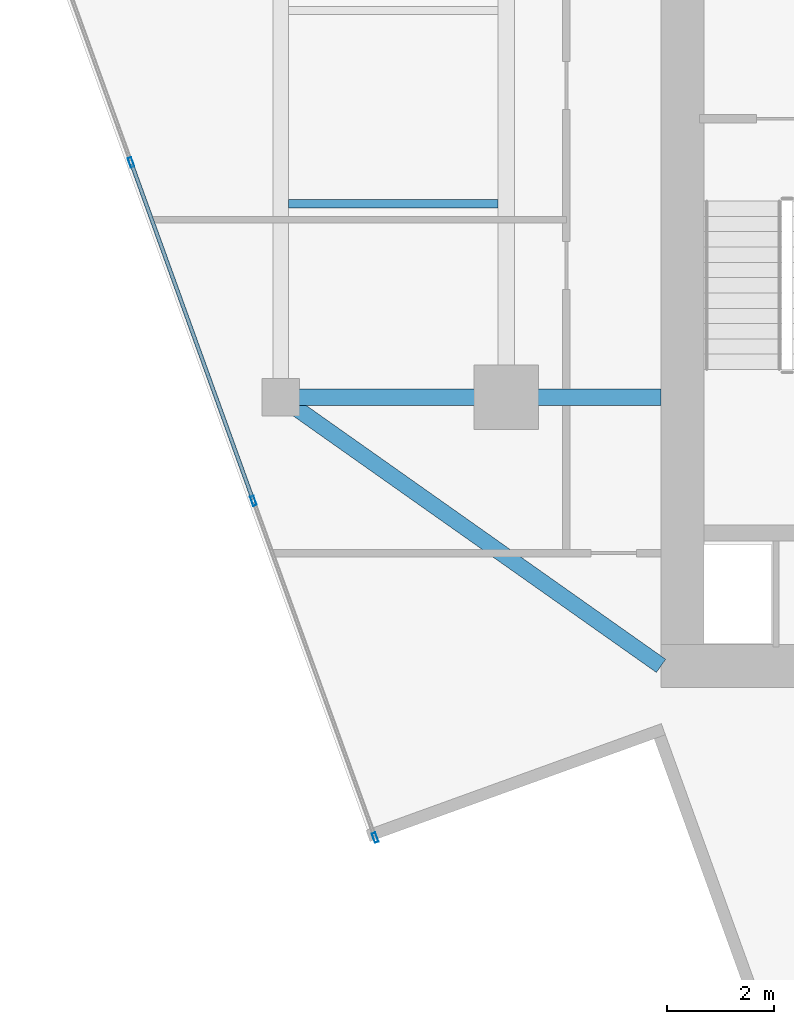
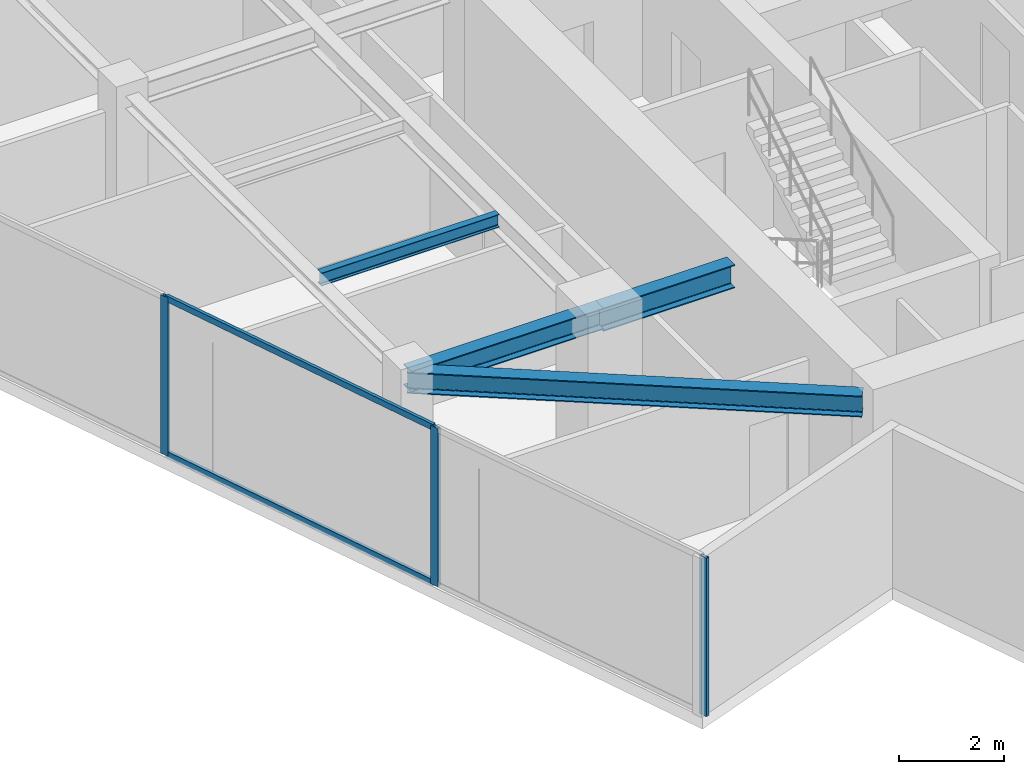
# One storey, part 2 of 21: 5 members, 4 beams, 1 element without a shape of its own.
"""IFC4 building model written with IfcOpenShell, lengths in metres."""

from ifc_helpers import new_model, si_unit, direction, frame, origin, origin_2d, place, context, subcontext, project, spatial, hollow_rectangle, i_section, extrude, source, transform, mapped, material, material_profile, profile_set, type_object, type_shapes, element, aggregate, save


model = new_model("IFC4")

# Units and contexts
model_context = context("Model", 3, precision=1e-05, world=origin(), true_north=direction((0.0, 1.0)))
body_context = subcontext(model_context, "Body", "Model", "MODEL_VIEW")
ifc_project = project(units=[si_unit("LENGTHUNIT", "METRE"), si_unit("AREAUNIT", "SQUARE_METRE"), si_unit("VOLUMEUNIT", "CUBIC_METRE"), si_unit("PLANEANGLEUNIT", "RADIAN"), si_unit("MASSUNIT", "GRAM", prefix="KILO")], contexts=[model_context])

# Site, building, storey
site_placement = place(None, origin())
site = spatial("IfcSite", under=ifc_project, at=site_placement, CompositionType="ELEMENT")
building_placement = place(site_placement, origin())
building = spatial("IfcBuilding", under=site, at=building_placement, Name="Krantzveldt Concourse Tower", CompositionType="ELEMENT")
storey_placement = place(building_placement, frame((0.0, 0.0, 335.60009765625)))
storey = spatial("IfcBuildingStorey", under=building, at=storey_placement, Name="L82", CompositionType="ELEMENT", Elevation=335.60009765625)

# Beams
ifc_material_1 = material(Name="Steel S355JR", Category="steel")
ifc_material_profile_1 = material_profile(ifc_material_1, i_section(OverallWidth=0.300048828125, OverallDepth=0.489990234375, WebThickness=0.011962890625, FlangeThickness=0.02294921875, FilletRadius=0.027099609375, at=origin_2d()), Name="Steel S355JR", Category="steel")
ifc_profile_set_1 = profile_set([ifc_material_profile_1], Name="Steel S355JR - HEA 500")
beam_type_1 = type_object("IfcBeamType", Name="BM-B-HEA500", PredefinedType="BEAM", material=ifc_profile_set_1)
shared_shape_1 = source(origin(), body_context, "Body", "SweptSolid", [
    extrude(i_section(OverallWidth=0.300048828125, OverallDepth=0.489990234375, WebThickness=0.011962890625, FlangeThickness=0.02294921875, FilletRadius=0.027099609375, at=origin_2d()), origin(), (0.0, 0.0, 1.0), 4.199951171875),
])
beam_1_placement = place(storey_placement, frame((21.0, 15.89990234375, 3.4248046875), z_axis=(1.0, 0.0, 0.0), x_axis=(0.0, 1.0, 0.0)))
element("IfcBeam", 1, at=beam_1_placement, inside=storey, type_object=beam_type_1, Name="L82 Tower Girder BR-RL1", PredefinedType="BEAM", context=body_context, shape_type="MappedRepresentation", body=[
    mapped(shared_shape_1, transform((0.0, 0.0, 0.0), x_axis=(1.0, 0.0, 0.0), y_axis=(0.0, 1.0, 0.0), z_axis=(0.0, 0.0, 1.0), scale=1.0)),
])
shared_shape_2 = source(origin(), body_context, "Body", "SweptSolid", [
    extrude(i_section(OverallWidth=0.300048828125, OverallDepth=0.489990234375, WebThickness=0.011962890625, FlangeThickness=0.02294921875, FilletRadius=0.027099609375, at=origin_2d()), origin(), (0.0, 0.0, 1.0), 8.667724609375),
])
type_shapes(beam_type_1, [shared_shape_1, shared_shape_2])
beam_2_placement = place(storey_placement, frame((21.0, 15.89990234375, 3.4248046875), z_axis=(0.81684294656, -0.576860122261, 0.0), x_axis=(0.576860122261, 0.81684294656, 0.0)))
element("IfcBeam", 2, at=beam_2_placement, inside=storey, type_object=beam_type_1, Name="L82 Tower Girder BR-CSW", PredefinedType="BEAM", context=body_context, shape_type="MappedRepresentation", body=[
    mapped(shared_shape_2, transform((0.0, 0.0, 0.0), x_axis=(1.0, 0.0, 0.0), y_axis=(0.0, 1.0, 0.0), z_axis=(0.0, 0.0, 1.0), scale=1.0)),
])
ifc_material_profile_2 = material_profile(ifc_material_1, i_section(OverallWidth=0.300048828125, OverallDepth=0.5400390625, WebThickness=0.012451171875, FlangeThickness=0.02392578125, FilletRadius=0.027099609375, at=origin_2d()), Name="Steel S355JR", Category="steel")
ifc_profile_set_2 = profile_set([ifc_material_profile_2], Name="Steel S355JR - HEA 550")
beam_type_2 = type_object("IfcBeamType", Name="BM-B-HEA550", PredefinedType="BEAM", material=ifc_profile_set_2)
shared_shape_3 = source(origin(), body_context, "Body", "SweptSolid", [
    extrude(i_section(OverallWidth=0.300048828125, OverallDepth=0.5400390625, WebThickness=0.012451171875, FlangeThickness=0.02392578125, FilletRadius=0.027099609375, at=origin_2d()), origin(), (0.0, 0.0, 1.0), 2.880126953125),
])
type_shapes(beam_type_2, [shared_shape_3])
beam_3_placement = place(storey_placement, frame((25.199951171875, 15.89990234375, 3.39990234375), z_axis=(1.0, 0.0, 0.0), x_axis=(0.0, 1.0, 0.0)))
element("IfcBeam", 3, at=beam_3_placement, inside=storey, type_object=beam_type_2, Name="L82 Tower Girder BG-CW1", PredefinedType="BEAM", context=body_context, shape_type="MappedRepresentation", body=[
    mapped(shared_shape_3, transform((0.0, 0.0, 0.0), x_axis=(1.0, 0.0, 0.0), y_axis=(0.0, 1.0, 0.0), z_axis=(0.0, 0.0, 1.0), scale=1.0)),
])
ifc_material_profile_3 = material_profile(ifc_material_1, i_section(OverallWidth=0.14990234375, OverallDepth=0.300048828125, WebThickness=0.007080078125, FlangeThickness=0.0107421875, FilletRadius=0.014892578125, at=origin_2d()), Name="Steel S355JR", Category="steel")
ifc_profile_set_3 = profile_set([ifc_material_profile_3], Name="Steel S355JR - IPE 300")
beam_type_3 = type_object("IfcBeamType", Name="BM-J-IPE300", PredefinedType="JOIST", material=ifc_profile_set_3)
shared_shape_4 = source(origin(), body_context, "Body", "SweptSolid", [
    extrude(i_section(OverallWidth=0.14990234375, OverallDepth=0.300048828125, WebThickness=0.007080078125, FlangeThickness=0.0107421875, FilletRadius=0.014892578125, at=origin_2d()), origin(), (0.0, 0.0, 1.0), 3.900146484375),
])
type_shapes(beam_type_3, [shared_shape_4])
beam_4_placement = place(storey_placement, frame((21.14990234375, 19.5, 3.52001953125), z_axis=(1.0, 0.0, 0.0), x_axis=(0.0, 1.0, 0.0)))
element("IfcBeam", 4, at=beam_4_placement, inside=storey, type_object=beam_type_3, Name="L82 Secondary Floor Joist JW-1", PredefinedType="JOIST", context=body_context, shape_type="MappedRepresentation", body=[
    mapped(shared_shape_4, transform((0.0, 0.0, 0.0), x_axis=(1.0, 0.0, 0.0), y_axis=(0.0, 1.0, 0.0), z_axis=(0.0, 0.0, 1.0), scale=1.0)),
])

# Curtain wall, members
ifc_material_2 = material(Name="Anodised aluminium 6063-T6", Category="aluminium")
curtain_wall_type = type_object("IfcCurtainWallType", Name="CW4", PredefinedType="USERDEFINED", material=ifc_material_2)
curtain_wall_placement = place(storey_placement, origin())
curtain_wall = element("IfcCurtainWall", 5, at=curtain_wall_placement, inside=storey, type_object=curtain_wall_type, Name="CW-L82-F04", ObjectType="UNITISED CURTAIN WALL", PredefinedType="USERDEFINED")
ifc_material_profile_4 = material_profile(ifc_material_2, hollow_rectangle(XDim=0.070068359375, YDim=0.179931640625, WallThickness=0.0048828125, at=origin_2d()), Name="Anodised aluminium 6063-T6", Category="aluminium")
ifc_profile_set_4 = profile_set([ifc_material_profile_4], Name="Anodised aluminium 6063-T6 - ALU-MULL 180x70x5")
member_type_1 = type_object("IfcMemberType", Name="CW-MUL-180", PredefinedType="MULLION", material=ifc_profile_set_4)
shared_shape_5 = source(origin(), body_context, "Body", "SweptSolid", [
    extrude(hollow_rectangle(XDim=0.070068359375, YDim=0.179931640625, WallThickness=0.0048828125, at=origin_2d()), origin(), (0.0, 0.0, 1.0), 3.669921875),
])
type_shapes(member_type_1, [shared_shape_5])
member_1_placement = place(storey_placement, frame((18.21630859375, 20.271240234375, 0.0), z_axis=(0.0, 0.0, 1.0), x_axis=(0.940436624478, 0.339969050563, 0.0)))
member_1 = element("IfcMember", 6, at=member_1_placement, type_object=member_type_1, Name="CW-Z56 mullion 3", PredefinedType="MULLION", context=body_context, shape_type="MappedRepresentation", body=[
    mapped(shared_shape_5, transform((0.0, 0.0, 0.0), x_axis=(1.0, 0.0, 0.0), y_axis=(0.0, 1.0, 0.0), z_axis=(0.0, 0.0, 1.0), scale=1.0)),
])
member_2_placement = place(storey_placement, frame((20.494140625, 13.97021484375, 0.0), z_axis=(0.0, 0.0, 1.0), x_axis=(0.940436624478, 0.339969050563, 0.0)))
member_2 = element("IfcMember", 7, at=member_2_placement, type_object=member_type_1, Name="CW-Z56 mullion 4", PredefinedType="MULLION", context=body_context, shape_type="MappedRepresentation", body=[
    mapped(shared_shape_5, transform((0.0, 0.0, 0.0), x_axis=(1.0, 0.0, 0.0), y_axis=(0.0, 1.0, 0.0), z_axis=(0.0, 0.0, 1.0), scale=1.0)),
])
member_3_placement = place(storey_placement, frame((22.760009765625, 7.7021484375, 0.0), z_axis=(0.0, 0.0, 1.0), x_axis=(0.940436624478, 0.339969050563, 0.0)))
member_3 = element("IfcMember", 8, at=member_3_placement, type_object=member_type_1, Name="CW-Z56 mullion 5", PredefinedType="MULLION", context=body_context, shape_type="MappedRepresentation", body=[
    mapped(shared_shape_5, transform((0.0, 0.0, 0.0), x_axis=(1.0, 0.0, 0.0), y_axis=(0.0, 1.0, 0.0), z_axis=(0.0, 0.0, 1.0), scale=1.0)),
])
ifc_material_profile_5 = material_profile(ifc_material_2, hollow_rectangle(XDim=0.070068359375, YDim=0.139892578125, WallThickness=0.0048828125, at=origin_2d()), Name="Anodised aluminium 6063-T6", Category="aluminium")
ifc_profile_set_5 = profile_set([ifc_material_profile_5], Name="Anodised aluminium 6063-T6 - ALU-TRAN 140x70x5")
member_type_2 = type_object("IfcMemberType", Name="CW-TRN-150", PredefinedType="USERDEFINED", material=ifc_profile_set_5)
shared_shape_6 = source(origin(), body_context, "Body", "SweptSolid", [
    extrude(hollow_rectangle(XDim=0.070068359375, YDim=0.139892578125, WallThickness=0.0048828125, at=origin_2d()), origin(), (0.0, 0.0, 1.0), 6.6298828125),
])
type_shapes(member_type_2, [shared_shape_6])
member_4_placement = place(storey_placement, frame((18.228271484375, 20.23828125, 0.034912109375), z_axis=(0.339956629823, -0.940441114499, 0.0), x_axis=(0.940441114499, 0.339956629823, 0.0)))
member_4 = element("IfcMember", 9, at=member_4_placement, type_object=member_type_2, Name="CW-Z56 transom 3.1", ObjectType="TRANSOM", PredefinedType="USERDEFINED", context=body_context, shape_type="MappedRepresentation", body=[
    mapped(shared_shape_6, transform((0.0, 0.0, 0.0), x_axis=(1.0, 0.0, 0.0), y_axis=(0.0, 1.0, 0.0), z_axis=(0.0, 0.0, 1.0), scale=1.0)),
])
member_5_placement = place(storey_placement, frame((18.228271484375, 20.23828125, 3.635009765625), z_axis=(0.339956629823, -0.940441114499, 0.0), x_axis=(0.940441114499, 0.339956629823, 0.0)))
member_5 = element("IfcMember", 10, at=member_5_placement, type_object=member_type_2, Name="CW-Z56 transom 3.2", ObjectType="TRANSOM", PredefinedType="USERDEFINED", context=body_context, shape_type="MappedRepresentation", body=[
    mapped(shared_shape_6, transform((0.0, 0.0, 0.0), x_axis=(1.0, 0.0, 0.0), y_axis=(0.0, 1.0, 0.0), z_axis=(0.0, 0.0, 1.0), scale=1.0)),
])
aggregate(curtain_wall, [member_1, member_2, member_3, member_4, member_5])

save(model, "model.ifc")
